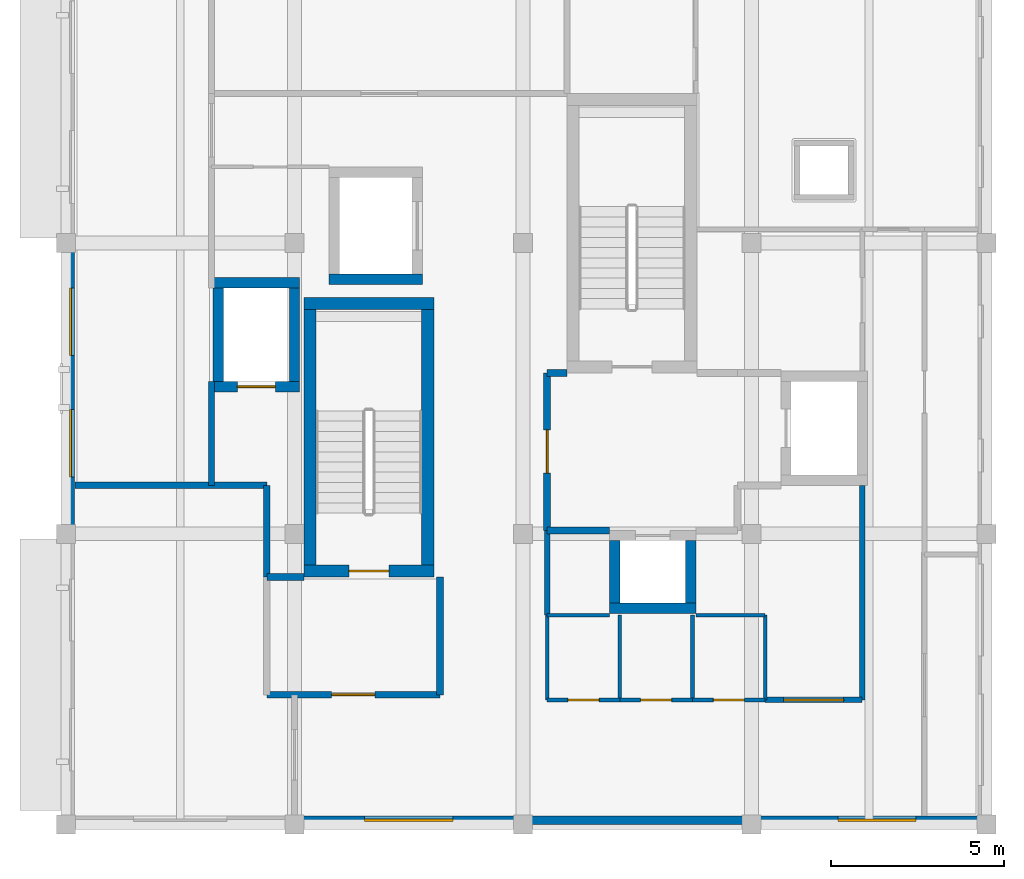
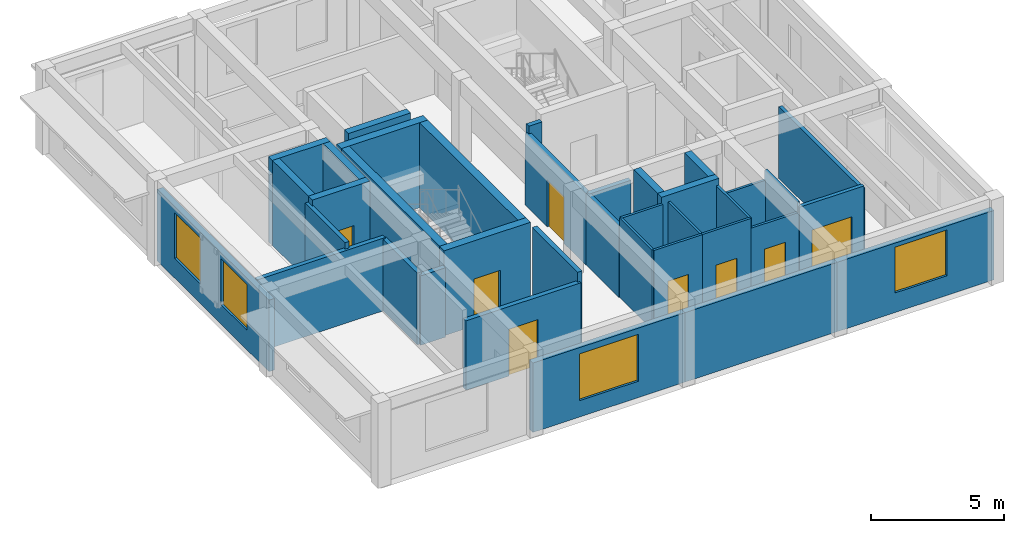
# One storey, part 2 of 6: 37 walls, 8 doors, 4 windows, 12 openings.
"""IFC4 building model written with IfcOpenShell, lengths in metres."""

from ifc_helpers import new_model, si_unit, direction, frame, frame_2d, origin, place, context, subcontext, project, spatial, rectangle, extrude, material, layer, layer_set, type_object, element, fill, save


model = new_model("IFC4")

# Units and contexts
model_context = context("Model", 3, precision=1e-05, world=origin(), true_north=direction((0.0, 1.0)))
body_context = subcontext(model_context, "Body", "Model", "MODEL_VIEW")
ifc_project = project(units=[si_unit("LENGTHUNIT", "METRE"), si_unit("AREAUNIT", "SQUARE_METRE"), si_unit("VOLUMEUNIT", "CUBIC_METRE"), si_unit("PLANEANGLEUNIT", "RADIAN"), si_unit("MASSUNIT", "GRAM", prefix="KILO")], contexts=[model_context])

# Site, building, storey
site_placement = place(None, origin())
site = spatial("IfcSite", under=ifc_project, at=site_placement, CompositionType="ELEMENT")
building_placement = place(site_placement, origin())
building = spatial("IfcBuilding", under=site, at=building_placement, Name="Kolvaren Faculty of Natural Sciences", CompositionType="ELEMENT")
storey_placement = place(building_placement, frame((0.0, 0.0, 36.60009765625)))
storey = spatial("IfcBuildingStorey", under=building, at=storey_placement, Name="L08", CompositionType="ELEMENT", Elevation=36.60009765625)

# Wall
ifc_material_1 = material(Name="Acoustic mineral-wool insulated gypsum partition")
ifc_layer_1 = layer(ifc_material_1, 0.159912109375)
ifc_layer_set_1 = layer_set([ifc_layer_1], Name="Acoustic mineral-wool insulated gypsum partition")
wall_type_1 = type_object("IfcWallType", Name="ClassroomPartitionWall_160", PredefinedType="PARTITIONING", material=ifc_layer_set_1)
wall_1_placement = place(storey_placement, frame((168.39990234375, 68.798095703125, 0.0), z_axis=(0.0, 0.0, 1.0), x_axis=(0.0, -1.0, 0.0)))
element("IfcWall", 1, at=wall_1_placement, inside=storey, type_object=wall_type_1, Name="L08 interior partition PW-160", PredefinedType="PARTITIONING", context=body_context, shape_type="SweptSolid", body=[
    extrude(rectangle(XDim=6.197998046875, YDim=0.159912109375, at=frame_2d((3.09912109375, 0.0))), origin(), (0.0, 0.0, 1.0), 3.284912109375),
])

# Wall, opening, door
wall_2_placement = place(storey_placement, frame((168.39990234375, 62.60009765625, 0.0), z_axis=(0.0, 0.0, 1.0), x_axis=(-1.0, 0.0, 0.0)))
wall_2 = element("IfcWall", 2, at=wall_2_placement, inside=storey, type_object=wall_type_1, Name="L08 interior partition PW-160", PredefinedType="PARTITIONING", context=body_context, shape_type="SweptSolid", body=[
    extrude(rectangle(XDim=2.7998046875, YDim=0.159912109375, at=frame_2d((1.39990234375, 0.0))), origin(), (0.0, 0.0, 1.0), 3.434814453125),
])
opening_1_placement = place(wall_2_placement, frame((0.530029296875, 0.0, 0.0)))
opening_1 = element("IfcOpeningElement", 3, at=opening_1_placement, cuts=wall_2, Name="Opening ID-35", PredefinedType="OPENING", context=body_context, shape_type="SweptSolid", body=[
    extrude(rectangle(XDim=1.739990234375, YDim=2.199951171875, at=frame_2d((0.8701171875, 1.10009765625))), frame((0.0, 0.08984375, 0.0), z_axis=(0.0, -1.0, 0.0), x_axis=(1.0, 0.0, 0.0)), (0.0, 0.0, 1.0), 0.179931640625),
])
ifc_material_2 = material(Name="Thermally broken anodised aluminium glazed door", Category="aluminium")
door_type_1 = type_object("IfcDoorType", Name="InteriorRoomDoor_1740x2200", OperationType="DOUBLE_DOOR_SINGLE_SWING", PredefinedType="DOOR", material=ifc_material_2)
door_1_placement = place(opening_1_placement, origin())
door_1 = element("IfcDoor", 4, at=door_1_placement, inside=storey, type_object=door_type_1, Name="D-L08-0373", OperationType="DOUBLE_DOOR_SINGLE_SWING", OverallHeight=2.199951171875, OverallWidth=1.739990234375, PredefinedType="DOOR", context=body_context, shape_type="SweptSolid", body=[
    extrude(rectangle(XDim=1.739990234375, YDim=2.199951171875, at=frame_2d((0.8701171875, 1.10009765625))), frame((0.0, 0.02490234375, 0.0), z_axis=(0.0, -1.0, 0.0), x_axis=(1.0, 0.0, 0.0)), (0.0, 0.0, 1.0), 0.050048828125),
])
fill(opening_1, door_1)

# Wall
wall_3_placement = place(storey_placement, frame((159.300048828125, 65.050048828125, 0.0), z_axis=(0.0, 0.0, 1.0), x_axis=(0.0, 1.0, 0.0)))
element("IfcWall", 5, at=wall_3_placement, inside=storey, type_object=wall_type_1, Name="L08 interior partition PW-160", PredefinedType="PARTITIONING", context=body_context, shape_type="SweptSolid", body=[
    extrude(rectangle(XDim=2.449951171875, YDim=0.159912109375, at=frame_2d((1.22509765625, 0.0))), origin(), (0.0, 0.0, 1.0), 3.284912109375),
])

# Wall, opening, door
ifc_material_3 = material(Name="Concrete C40/50", Category="concrete")
ifc_layer_2 = layer(ifc_material_3, 0.35009765625)
ifc_layer_set_2 = layer_set([ifc_layer_2], Name="Concrete C40/50")
wall_type_2 = type_object("IfcWallType", Name="CoreShearWall_350", PredefinedType="SHEAR", material=ifc_layer_set_2)
wall_4_placement = place(storey_placement, frame((152.27490234375, 66.324951171875, 0.0), z_axis=(0.0, 0.0, 1.0), x_axis=(1.0, 0.0, 0.0)))
wall_4 = element("IfcWall", 6, at=wall_4_placement, inside=storey, type_object=wall_type_2, Name="L08 CORE-C2 stair shear wall S", PredefinedType="SHEAR", context=body_context, shape_type="SweptSolid", body=[
    extrude(rectangle(XDim=3.75, YDim=0.35009765625, at=frame_2d((1.875, 0.0))), origin(), (0.0, 0.0, 1.0), 3.89990234375),
])
opening_2_placement = place(wall_4_placement, frame((1.300048828125, 0.0, 0.0)))
opening_2 = element("IfcOpeningElement", 7, at=opening_2_placement, cuts=wall_4, Name="Opening FD90", PredefinedType="OPENING", context=body_context, shape_type="SweptSolid", body=[
    extrude(rectangle(XDim=1.14990234375, YDim=2.14990234375, at=frame_2d((0.574951171875, 1.074951171875))), frame((0.0, 0.18505859375, 0.0), z_axis=(0.0, -1.0, 0.0), x_axis=(1.0, 0.0, 0.0)), (0.0, 0.0, 1.0), 0.3701171875),
])
ifc_material_4 = material(Name="Fire-rated solid-core hardwood door leaf in steel frame", Category="steel")
door_type_2 = type_object("IfcDoorType", Name="StairCoreFireDoor_1150x2150", OperationType="NOTDEFINED", PredefinedType="DOOR", material=ifc_material_4)
door_2_placement = place(opening_2_placement, origin())
door_2 = element("IfcDoor", 8, at=door_2_placement, inside=storey, type_object=door_type_2, Name="D-ST-ST-2-L08", OperationType="SINGLE_SWING_RIGHT", OverallHeight=2.14990234375, OverallWidth=1.14990234375, PredefinedType="DOOR", context=body_context, shape_type="SweptSolid", body=[
    extrude(rectangle(XDim=1.14990234375, YDim=2.14990234375, at=frame_2d((0.574951171875, 1.074951171875))), frame((0.0, 0.02490234375, 0.0), z_axis=(0.0, -1.0, 0.0), x_axis=(1.0, 0.0, 0.0)), (0.0, 0.0, 1.0), 0.050048828125),
])
fill(opening_2, door_2)

# Walls
wall_5_placement = place(storey_placement, frame((152.27490234375, 74.050048828125, 0.0), z_axis=(0.0, 0.0, 1.0), x_axis=(1.0, 0.0, 0.0)))
element("IfcWall", 9, at=wall_5_placement, inside=storey, type_object=wall_type_2, Name="L08 CORE-C2 stair shear wall N", PredefinedType="SHEAR", context=body_context, shape_type="SweptSolid", body=[
    extrude(rectangle(XDim=3.75, YDim=0.35009765625, at=frame_2d((1.875, 0.0))), origin(), (0.0, 0.0, 1.0), 3.89990234375),
])
for number, where, z_axis, x_axis, name in (
    (10, (152.449951171875, 66.5, 0.0), (0.0, 0.0, 1.0), (0.0, 1.0, 0.0), "L08 CORE-C2 stair shear wall W"),
    (11, (155.85009765625, 66.5, 0.0), (0.0, 0.0, 1.0), (0.0, 1.0, 0.0), "L08 CORE-C2 stair shear wall E"),
):
    element("IfcWall", number, at=place(storey_placement, frame(where, z_axis=z_axis, x_axis=x_axis)), inside=storey, type_object=wall_type_2, Name=name, PredefinedType="SHEAR", context=body_context, shape_type="SweptSolid", body=[
        extrude(rectangle(XDim=7.375, YDim=0.35009765625, at=frame_2d((3.6875, 0.0))), origin(), (0.0, 0.0, 1.0), 3.89990234375),
    ])

# Wall, openings, windows
ifc_material_5 = material(Name="Precast concrete C35/45", Category="concrete")
ifc_layer_3 = layer(ifc_material_5, 0.25)
ifc_layer_set_3 = layer_set([ifc_layer_3], Name="Precast concrete C35/45")
wall_type_3 = type_object("IfcWallType", Name="ExteriorTowerWall_250", PredefinedType="STANDARD", material=ifc_layer_set_3)
wall_6_placement = place(storey_placement, frame((145.52490234375, 67.39990234375, 0.0), z_axis=(0.0, 0.0, 1.0), x_axis=(0.0, 1.0, 0.0)))
wall_6 = element("IfcWall", 12, at=wall_6_placement, inside=storey, type_object=wall_type_3, Name="L08 exterior masonry wall EW-250 (734)", PredefinedType="STANDARD", context=body_context, shape_type="SweptSolid", body=[
    extrude(rectangle(XDim=8.400146484375, YDim=0.25, at=frame_2d((4.2001953125, 0.0))), origin(), (0.0, 0.0, 1.0), 3.284912109375),
])
opening_3_placement = place(wall_6_placement, frame((1.639892578125, 0.0, 0.89990234375)))
opening_3 = element("IfcOpeningElement", 13, at=opening_3_placement, cuts=wall_6, Name="Opening WIN-06", PredefinedType="OPENING", context=body_context, shape_type="SweptSolid", body=[
    extrude(rectangle(XDim=1.949951171875, YDim=2.10009765625, at=frame_2d((0.97509765625, 1.050048828125))), frame((0.0, 0.135009765625, 0.0), z_axis=(0.0, -1.0, 0.0), x_axis=(1.0, 0.0, 0.0)), (0.0, 0.0, 1.0), 0.27001953125),
])
opening_4_placement = place(wall_6_placement, frame((5.156982421875, 0.0, 0.89990234375)))
opening_4 = element("IfcOpeningElement", 14, at=opening_4_placement, cuts=wall_6, Name="Opening WIN-06", PredefinedType="OPENING", context=body_context, shape_type="SweptSolid", body=[
    extrude(rectangle(XDim=1.949951171875, YDim=2.10009765625, at=frame_2d((0.97509765625, 1.050048828125))), frame((0.0, 0.135009765625, 0.0), z_axis=(0.0, -1.0, 0.0), x_axis=(1.0, 0.0, 0.0)), (0.0, 0.0, 1.0), 0.27001953125),
])
ifc_material_6 = material(Name="Double low-E solar control insulated glazing", Category="glass")
window_type_1 = type_object("IfcWindowType", Name="AluWindow_WIN06_1950x2100", PartitioningType="SINGLE_PANEL", PredefinedType="WINDOW", material=ifc_material_6)
window_1_placement = place(opening_3_placement, origin())
window_1 = element("IfcWindow", 15, at=window_1_placement, inside=storey, type_object=window_type_1, Name="WIN-L08-0598", OverallHeight=2.10009765625, OverallWidth=1.949951171875, PartitioningType="SINGLE_PANEL", PredefinedType="WINDOW", context=body_context, shape_type="SweptSolid", body=[
    extrude(rectangle(XDim=1.949951171875, YDim=2.10009765625, at=frame_2d((0.97509765625, 1.050048828125))), frame((0.0, 0.030029296875, 0.0), z_axis=(0.0, -1.0, 0.0), x_axis=(1.0, 0.0, 0.0)), (0.0, 0.0, 1.0), 0.06005859375),
])
fill(opening_3, window_1)
window_2_placement = place(opening_4_placement, origin())
window_2 = element("IfcWindow", 16, at=window_2_placement, inside=storey, type_object=window_type_1, Name="WIN-L08-0599", OverallHeight=2.10009765625, OverallWidth=1.949951171875, PartitioningType="SINGLE_PANEL", PredefinedType="WINDOW", context=body_context, shape_type="SweptSolid", body=[
    extrude(rectangle(XDim=1.949951171875, YDim=2.10009765625, at=frame_2d((0.97509765625, 1.050048828125))), frame((0.0, 0.030029296875, 0.0), z_axis=(0.0, -1.0, 0.0), x_axis=(1.0, 0.0, 0.0)), (0.0, 0.0, 1.0), 0.06005859375),
])
fill(opening_4, window_2)

# Wall, opening, window
wall_7_placement = place(storey_placement, frame((172.0, 59.125, 0.0), z_axis=(0.0, 0.0, 1.0), x_axis=(-1.0, 0.0, 0.0)))
wall_7 = element("IfcWall", 17, at=wall_7_placement, inside=storey, type_object=wall_type_3, Name="L08 exterior masonry wall EW-250 (736)", PredefinedType="STANDARD", context=body_context, shape_type="SweptSolid", body=[
    extrude(rectangle(XDim=6.800048828125, YDim=0.25, at=frame_2d((3.39990234375, 0.0))), origin(), (0.0, 0.0, 1.0), 3.184814453125),
])
opening_5_placement = place(wall_7_placement, frame((2.0400390625, 0.0, 0.89990234375)))
opening_5 = element("IfcOpeningElement", 18, at=opening_5_placement, cuts=wall_7, Name="Opening WIN-08", PredefinedType="OPENING", context=body_context, shape_type="SweptSolid", body=[
    extrude(rectangle(XDim=2.25, YDim=2.10009765625, at=frame_2d((1.125, 1.050048828125))), frame((0.0, 0.135009765625, 0.0), z_axis=(0.0, -1.0, 0.0), x_axis=(1.0, 0.0, 0.0)), (0.0, 0.0, 1.0), 0.27001953125),
])
window_type_2 = type_object("IfcWindowType", Name="AluWindow_WIN08_2250x2100", PartitioningType="SINGLE_PANEL", PredefinedType="WINDOW", material=ifc_material_6)
window_3_placement = place(opening_5_placement, origin())
window_3 = element("IfcWindow", 19, at=window_3_placement, inside=storey, type_object=window_type_2, Name="WIN-L08-0602", OverallHeight=2.10009765625, OverallWidth=2.25, PartitioningType="SINGLE_PANEL", PredefinedType="WINDOW", context=body_context, shape_type="SweptSolid", body=[
    extrude(rectangle(XDim=2.25, YDim=2.10009765625, at=frame_2d((1.125, 1.050048828125))), frame((0.0, 0.030029296875, 0.0), z_axis=(0.0, -1.0, 0.0), x_axis=(1.0, 0.0, 0.0)), (0.0, 0.0, 1.0), 0.06005859375),
])
fill(opening_5, window_3)

# Wall
wall_8_placement = place(storey_placement, frame((165.199951171875, 59.125, 0.0), z_axis=(0.0, 0.0, 1.0), x_axis=(-1.0, 0.0, 0.0)))
element("IfcWall", 20, at=wall_8_placement, inside=storey, type_object=wall_type_3, Name="L08 exterior masonry wall EW-250 (737)", PredefinedType="STANDARD", context=body_context, shape_type="SweptSolid", body=[
    extrude(rectangle(XDim=6.599853515625, YDim=0.25, at=frame_2d((3.2998046875, 0.0))), origin(), (0.0, 0.0, 1.0), 3.184814453125),
])

# Wall, opening, window
wall_9_placement = place(storey_placement, frame((158.60009765625, 59.125, 0.0), z_axis=(0.0, 0.0, 1.0), x_axis=(-1.0, 0.0, 0.0)))
wall_9 = element("IfcWall", 21, at=wall_9_placement, inside=storey, type_object=wall_type_3, Name="L08 exterior masonry wall EW-250 (738)", PredefinedType="STANDARD", context=body_context, shape_type="SweptSolid", body=[
    extrude(rectangle(XDim=6.60009765625, YDim=0.25, at=frame_2d((3.300048828125, 0.0))), origin(), (0.0, 0.0, 1.0), 3.184814453125),
])
opening_6_placement = place(wall_9_placement, frame((2.02490234375, 0.0, 0.75)))
opening_6 = element("IfcOpeningElement", 22, at=opening_6_placement, cuts=wall_9, Name="Opening WIN-10", PredefinedType="OPENING", context=body_context, shape_type="SweptSolid", body=[
    extrude(rectangle(XDim=2.550048828125, YDim=2.14990234375, at=frame_2d((1.27490234375, 1.074951171875))), frame((0.0, 0.135009765625, 0.0), z_axis=(0.0, -1.0, 0.0), x_axis=(1.0, 0.0, 0.0)), (0.0, 0.0, 1.0), 0.27001953125),
])
window_type_3 = type_object("IfcWindowType", Name="AluWindow_WIN10_2550x2150", PartitioningType="SINGLE_PANEL", PredefinedType="WINDOW", material=ifc_material_6)
window_4_placement = place(opening_6_placement, origin())
window_4 = element("IfcWindow", 23, at=window_4_placement, inside=storey, type_object=window_type_3, Name="WIN-L08-0603", OverallHeight=2.14990234375, OverallWidth=2.550048828125, PartitioningType="SINGLE_PANEL", PredefinedType="WINDOW", context=body_context, shape_type="SweptSolid", body=[
    extrude(rectangle(XDim=2.550048828125, YDim=2.14990234375, at=frame_2d((1.27490234375, 1.074951171875))), frame((0.0, 0.030029296875, 0.0), z_axis=(0.0, -1.0, 0.0), x_axis=(1.0, 0.0, 0.0)), (0.0, 0.0, 1.0), 0.06005859375),
])
fill(opening_6, window_4)

# Walls
ifc_material_7 = material(Name="Autoclaved aerated fire-rated masonry blockwork", Category="masonry")
ifc_layer_4 = layer(ifc_material_7, 0.199951171875)
ifc_layer_set_4 = layer_set([ifc_layer_4], Name="Autoclaved aerated fire-rated masonry blockwork")
wall_type_4 = type_object("IfcWallType", Name="FireLobbyWall_200", PredefinedType="PARTITIONING", material=ifc_layer_set_4)
wall_10_placement = place(storey_placement, frame((159.300048828125, 72.050048828125, 0.0), z_axis=(0.0, 0.0, 1.0), x_axis=(1.0, 0.0, 0.0)))
element("IfcWall", 24, at=wall_10_placement, inside=storey, type_object=wall_type_4, Name="L08 interior partition FW-200", PredefinedType="PARTITIONING", context=body_context, shape_type="SweptSolid", body=[
    extrude(rectangle(XDim=0.574951171875, YDim=0.199951171875, at=frame_2d((0.28759765625, 0.0))), origin(), (0.0, 0.0, 1.0), 3.635009765625),
])
wall_11_placement = place(storey_placement, frame((161.10009765625, 67.5, 0.0), z_axis=(0.0, 0.0, 1.0), x_axis=(-1.0, 0.0, 0.0)))
element("IfcWall", 25, at=wall_11_placement, inside=storey, type_object=wall_type_4, Name="L08 interior partition FW-200", PredefinedType="PARTITIONING", context=body_context, shape_type="SweptSolid", body=[
    extrude(rectangle(XDim=1.800048828125, YDim=0.199951171875, at=frame_2d((0.89990234375, 0.0))), origin(), (0.0, 0.0, 1.0), 3.284912109375),
])

# Wall, opening, door
wall_12_placement = place(storey_placement, frame((159.300048828125, 67.5, 0.0), z_axis=(0.0, 0.0, 1.0), x_axis=(0.0, 1.0, 0.0)))
wall_12 = element("IfcWall", 26, at=wall_12_placement, inside=storey, type_object=wall_type_4, Name="L08 interior partition FW-200", PredefinedType="PARTITIONING", context=body_context, shape_type="SweptSolid", body=[
    extrude(rectangle(XDim=4.550048828125, YDim=0.199951171875, at=frame_2d((2.27490234375, 0.0))), origin(), (0.0, 0.0, 1.0), 3.284912109375),
])
opening_7_placement = place(wall_12_placement, frame((1.64990234375, 0.0, 0.0)))
opening_7 = element("IfcOpeningElement", 27, at=opening_7_placement, cuts=wall_12, Name="Opening FD60", PredefinedType="OPENING", context=body_context, shape_type="SweptSolid", body=[
    extrude(rectangle(XDim=1.25, YDim=2.14990234375, at=frame_2d((0.625, 1.074951171875))), frame((0.0, 0.10986328125, 0.0), z_axis=(0.0, -1.0, 0.0), x_axis=(1.0, 0.0, 0.0)), (0.0, 0.0, 1.0), 0.219970703125),
])
door_type_3 = type_object("IfcDoorType", Name="RescueLobbyFireDoor_1250x2150", OperationType="NOTDEFINED", PredefinedType="DOOR", material=ifc_material_4)
door_3_placement = place(opening_7_placement, origin())
door_3 = element("IfcDoor", 28, at=door_3_placement, inside=storey, type_object=door_type_3, Name="D-L08-0365", OperationType="SINGLE_SWING_LEFT", OverallHeight=2.14990234375, OverallWidth=1.25, PredefinedType="DOOR", context=body_context, shape_type="SweptSolid", body=[
    extrude(rectangle(XDim=1.25, YDim=2.14990234375, at=frame_2d((0.625, 1.074951171875))), frame((0.0, 0.02490234375, 0.0), z_axis=(0.0, -1.0, 0.0), x_axis=(1.0, 0.0, 0.0)), (0.0, 0.0, 1.0), 0.050048828125),
])
fill(opening_7, door_3)

# Walls
wall_13_placement = place(storey_placement, frame((151.199951171875, 66.14990234375, 0.0), z_axis=(0.0, 0.0, 1.0), x_axis=(1.0, 0.0, 0.0)))
element("IfcWall", 29, at=wall_13_placement, inside=storey, type_object=wall_type_4, Name="L08 interior partition FW-200", PredefinedType="PARTITIONING", context=body_context, shape_type="SweptSolid", body=[
    extrude(rectangle(XDim=1.074951171875, YDim=0.199951171875, at=frame_2d((0.53759765625, 0.0))), origin(), (0.0, 0.0, 1.0), 3.184814453125),
])
wall_14_placement = place(storey_placement, frame((156.199951171875, 66.14990234375, 0.0), z_axis=(0.0, 0.0, 1.0), x_axis=(0.0, -1.0, 0.0)))
element("IfcWall", 30, at=wall_14_placement, inside=storey, type_object=wall_type_4, Name="L08 interior partition FW-200", PredefinedType="PARTITIONING", context=body_context, shape_type="SweptSolid", body=[
    extrude(rectangle(XDim=3.39990234375, YDim=0.199951171875, at=frame_2d((1.699951171875, 0.0))), origin(), (0.0, 0.0, 1.0), 3.635009765625),
])

# Wall, opening, door
wall_15_placement = place(storey_placement, frame((156.199951171875, 62.75, 0.0), z_axis=(0.0, 0.0, 1.0), x_axis=(-1.0, 0.0, 0.0)))
wall_15 = element("IfcWall", 31, at=wall_15_placement, inside=storey, type_object=wall_type_4, Name="L08 interior partition FW-200", PredefinedType="PARTITIONING", context=body_context, shape_type="SweptSolid", body=[
    extrude(rectangle(XDim=5.0, YDim=0.199951171875, at=frame_2d((2.5, 0.0))), origin(), (0.0, 0.0, 1.0), 3.184814453125),
])
opening_8_placement = place(wall_15_placement, frame((1.875, 0.0, 0.0)))
opening_8 = element("IfcOpeningElement", 32, at=opening_8_placement, cuts=wall_15, Name="Opening FD60", PredefinedType="OPENING", context=body_context, shape_type="SweptSolid", body=[
    extrude(rectangle(XDim=1.25, YDim=2.14990234375, at=frame_2d((0.625, 1.074951171875))), frame((0.0, 0.10986328125, 0.0), z_axis=(0.0, -1.0, 0.0), x_axis=(1.0, 0.0, 0.0)), (0.0, 0.0, 1.0), 0.219970703125),
])
door_4_placement = place(opening_8_placement, origin())
door_4 = element("IfcDoor", 33, at=door_4_placement, inside=storey, type_object=door_type_3, Name="D-L08-0366", OperationType="SINGLE_SWING_RIGHT", OverallHeight=2.14990234375, OverallWidth=1.25, PredefinedType="DOOR", context=body_context, shape_type="SweptSolid", body=[
    extrude(rectangle(XDim=1.25, YDim=2.14990234375, at=frame_2d((0.625, 1.074951171875))), frame((0.0, 0.02490234375, 0.0), z_axis=(0.0, -1.0, 0.0), x_axis=(1.0, 0.0, 0.0)), (0.0, 0.0, 1.0), 0.050048828125),
])
fill(opening_8, door_4)

# Walls
ifc_layer_5 = layer(ifc_material_1, 0.179931640625)
ifc_layer_set_5 = layer_set([ifc_layer_5], Name="Acoustic mineral-wool insulated gypsum partition")
wall_type_5 = type_object("IfcWallType", Name="LabPartitionWall_180", PredefinedType="PARTITIONING", material=ifc_layer_set_5)
wall_16_placement = place(storey_placement, frame((149.60009765625, 71.800048828125, 0.0), z_axis=(0.0, 0.0, 1.0), x_axis=(0.0, -1.0, 0.0)))
element("IfcWall", 34, at=wall_16_placement, inside=storey, type_object=wall_type_5, Name="L08 interior partition PW-180", PredefinedType="PARTITIONING", context=body_context, shape_type="SweptSolid", body=[
    extrude(rectangle(XDim=3.0, YDim=0.179931640625, at=frame_2d((1.5, 0.0))), origin(), (0.0, 0.0, 1.0), 3.635009765625),
])
ifc_layer_6 = layer(ifc_material_1, 0.18505859375)
ifc_layer_set_6 = layer_set([ifc_layer_6], Name="Acoustic mineral-wool insulated gypsum partition")
wall_type_6 = type_object("IfcWallType", Name="LabPartitionWall_185", PredefinedType="PARTITIONING", material=ifc_layer_set_6)
wall_17_placement = place(storey_placement, frame((145.652099609375, 68.800048828125, 0.0), z_axis=(0.0, 0.0, 1.0), x_axis=(1.0, 0.0, 0.0)))
element("IfcWall", 35, at=wall_17_placement, inside=storey, type_object=wall_type_6, Name="L08 interior partition PW-185", PredefinedType="PARTITIONING", context=body_context, shape_type="SweptSolid", body=[
    extrude(rectangle(XDim=5.5478515625, YDim=0.18505859375, at=frame_2d((2.77392578125, 0.0))), origin(), (0.0, 0.0, 1.0), 3.3349609375),
])
wall_18_placement = place(storey_placement, frame((151.199951171875, 68.800048828125, 0.0), z_axis=(0.0, 0.0, 1.0), x_axis=(0.0, -1.0, 0.0)))
element("IfcWall", 36, at=wall_18_placement, inside=storey, type_object=wall_type_6, Name="L08 interior partition PW-185", PredefinedType="PARTITIONING", context=body_context, shape_type="SweptSolid", body=[
    extrude(rectangle(XDim=2.650146484375, YDim=0.18505859375, at=frame_2d((1.3251953125, 0.0))), origin(), (0.0, 0.0, 1.0), 3.284912109375),
])
ifc_layer_7 = layer(ifc_material_3, 0.300048828125)
ifc_layer_set_7 = layer_set([ifc_layer_7], Name="Concrete C40/50")
wall_type_7 = type_object("IfcWallType", Name="ShaftShearWall_300", PredefinedType="SHEAR", material=ifc_layer_set_7)
wall_19_placement = place(storey_placement, frame((161.10009765625, 65.25, 0.0), z_axis=(0.0, 0.0, 1.0), x_axis=(1.0, 0.0, 0.0)))
element("IfcWall", 37, at=wall_19_placement, inside=storey, type_object=wall_type_7, Name="L08 lift PL-1 shaft wall S", PredefinedType="SHEAR", context=body_context, shape_type="SweptSolid", body=[
    extrude(rectangle(XDim=2.5, YDim=0.300048828125, at=frame_2d((1.25, 0.0))), origin(), (0.0, 0.0, 1.0), 3.89990234375),
])
for number, where, z_axis, x_axis, name in (
    (38, (161.25, 65.39990234375, 0.0), (0.0, 0.0, 1.0), (0.0, 1.0, 0.0), "L08 lift PL-1 shaft wall W"),
    (39, (163.449951171875, 65.39990234375, 0.0), (0.0, 0.0, 1.0), (0.0, 1.0, 0.0), "L08 lift PL-1 shaft wall E"),
):
    element("IfcWall", number, at=place(storey_placement, frame(where, z_axis=z_axis, x_axis=x_axis)), inside=storey, type_object=wall_type_7, Name=name, PredefinedType="SHEAR", context=body_context, shape_type="SweptSolid", body=[
        extrude(rectangle(XDim=1.800048828125, YDim=0.300048828125, at=frame_2d((0.89990234375, 0.0))), origin(), (0.0, 0.0, 1.0), 3.89990234375),
    ])

# Wall, opening, door
wall_20_placement = place(storey_placement, frame((149.64990234375, 71.64990234375, 0.0), z_axis=(0.0, 0.0, 1.0), x_axis=(1.0, 0.0, 0.0)))
wall_20 = element("IfcWall", 40, at=wall_20_placement, inside=storey, type_object=wall_type_7, Name="L08 lift FL-2 shaft wall S", PredefinedType="SHEAR", context=body_context, shape_type="SweptSolid", body=[
    extrude(rectangle(XDim=2.5, YDim=0.300048828125, at=frame_2d((1.25, 0.0))), origin(), (0.0, 0.0, 1.0), 3.89990234375),
])
opening_9_placement = place(wall_20_placement, frame((0.699951171875, 0.0, 0.0)))
opening_9 = element("IfcOpeningElement", 41, at=opening_9_placement, cuts=wall_20, Name="Opening LD-01", PredefinedType="OPENING", context=body_context, shape_type="SweptSolid", body=[
    extrude(rectangle(XDim=1.10009765625, YDim=2.10009765625, at=frame_2d((0.550048828125, 1.050048828125))), frame((0.0, 0.159912109375, 0.0), z_axis=(0.0, -1.0, 0.0), x_axis=(1.0, 0.0, 0.0)), (0.0, 0.0, 1.0), 0.320068359375),
])
ifc_material_8 = material(Name="Brushed stainless steel lift car and sliding door assembly", Category="steel")
door_type_4 = type_object("IfcDoorType", Name="LiftLandingSliding_1100x2100", OperationType="DOUBLE_DOOR_SLIDING", PredefinedType="DOOR", material=ifc_material_8)
door_5_placement = place(opening_9_placement, origin())
door_5 = element("IfcDoor", 42, at=door_5_placement, inside=storey, type_object=door_type_4, Name="D-LIFT-FL-2-L08", OperationType="DOUBLE_DOOR_SLIDING", OverallHeight=2.10009765625, OverallWidth=1.10009765625, PredefinedType="DOOR", context=body_context, shape_type="SweptSolid", body=[
    extrude(rectangle(XDim=1.10009765625, YDim=2.10009765625, at=frame_2d((0.550048828125, 1.050048828125))), frame((0.0, 0.02490234375, 0.0), z_axis=(0.0, -1.0, 0.0), x_axis=(1.0, 0.0, 0.0)), (0.0, 0.0, 1.0), 0.050048828125),
])
fill(opening_9, door_5)

# Walls
wall_21_placement = place(storey_placement, frame((149.64990234375, 74.64990234375, 0.0), z_axis=(0.0, 0.0, 1.0), x_axis=(1.0, 0.0, 0.0)))
element("IfcWall", 43, at=wall_21_placement, inside=storey, type_object=wall_type_7, Name="L08 lift FL-2 shaft wall N", PredefinedType="SHEAR", context=body_context, shape_type="SweptSolid", body=[
    extrude(rectangle(XDim=2.5, YDim=0.300048828125, at=frame_2d((1.25, 0.0))), origin(), (0.0, 0.0, 1.0), 3.89990234375),
])
for number, where, z_axis, x_axis, name in (
    (44, (149.800048828125, 71.800048828125, 0.0), (0.0, 0.0, 1.0), (0.0, 1.0, 0.0), "L08 lift FL-2 shaft wall W"),
    (45, (152.0, 71.800048828125, 0.0), (0.0, 0.0, 1.0), (0.0, 1.0, 0.0), "L08 lift FL-2 shaft wall E"),
    (46, (153.0, 74.75, 0.0), (0.0, 0.0, 1.0), (1.0, 0.0, 0.0), "L08 lift GL-2 shaft wall S"),
):
    element("IfcWall", number, at=place(storey_placement, frame(where, z_axis=z_axis, x_axis=x_axis)), inside=storey, type_object=wall_type_7, Name=name, PredefinedType="SHEAR", context=body_context, shape_type="SweptSolid", body=[
        extrude(rectangle(XDim=2.699951171875, YDim=0.300048828125, at=frame_2d((1.35009765625, 0.0))), origin(), (0.0, 0.0, 1.0), 3.89990234375),
    ])
ifc_layer_8 = layer(ifc_material_1, 0.10498046875)
ifc_layer_set_8 = layer_set([ifc_layer_8], Name="Acoustic mineral-wool insulated gypsum partition")
wall_type_8 = type_object("IfcWallType", Name="WetRoomPartition_105", PredefinedType="PARTITIONING", material=ifc_layer_set_8)
wall_22_placement = place(storey_placement, frame((159.300048828125, 65.050048828125, 0.0), z_axis=(0.0, 0.0, 1.0), x_axis=(1.0, 0.0, 0.0)))
element("IfcWall", 47, at=wall_22_placement, inside=storey, type_object=wall_type_8, Name="L08 interior partition PW-105", PredefinedType="PARTITIONING", context=body_context, shape_type="SweptSolid", body=[
    extrude(rectangle(XDim=1.800048828125, YDim=0.10498046875, at=frame_2d((0.89990234375, 0.0))), origin(), (0.0, 0.0, 1.0), 3.635009765625),
])
wall_23_placement = place(storey_placement, frame((161.39990234375, 65.050048828125, 0.0), z_axis=(0.0, 0.0, 1.0), x_axis=(0.0, -1.0, 0.0)))
element("IfcWall", 48, at=wall_23_placement, inside=storey, type_object=wall_type_8, Name="L08 interior partition PW-105", PredefinedType="PARTITIONING", context=body_context, shape_type="SweptSolid", body=[
    extrude(rectangle(XDim=2.449951171875, YDim=0.10498046875, at=frame_2d((1.22509765625, 0.0))), origin(), (0.0, 0.0, 1.0), 3.635009765625),
])

# Wall, opening, door
wall_24_placement = place(storey_placement, frame((161.39990234375, 62.60009765625, 0.0), z_axis=(0.0, 0.0, 1.0), x_axis=(-1.0, 0.0, 0.0)))
wall_24 = element("IfcWall", 49, at=wall_24_placement, inside=storey, type_object=wall_type_8, Name="L08 interior partition PW-105", PredefinedType="PARTITIONING", context=body_context, shape_type="SweptSolid", body=[
    extrude(rectangle(XDim=2.099853515625, YDim=0.10498046875, at=frame_2d((1.0498046875, 0.0))), origin(), (0.0, 0.0, 1.0), 3.635009765625),
])
opening_10_placement = place(wall_24_placement, frame((0.60009765625, 0.0, 0.0)))
opening_10 = element("IfcOpeningElement", 50, at=opening_10_placement, cuts=wall_24, Name="Opening ID-01", PredefinedType="OPENING", context=body_context, shape_type="SweptSolid", body=[
    extrude(rectangle(XDim=0.89990234375, YDim=2.02001953125, at=frame_2d((0.449951171875, 1.010009765625))), frame((0.0, 0.0625, 0.0), z_axis=(0.0, -1.0, 0.0), x_axis=(1.0, 0.0, 0.0)), (0.0, 0.0, 1.0), 0.125),
])
ifc_material_9 = material(Name="Solid-core hardwood veneer door leaf in steel frame", Category="steel")
door_type_5 = type_object("IfcDoorType", Name="InteriorRoomDoor_900x2020", OperationType="NOTDEFINED", PredefinedType="DOOR", material=ifc_material_9)
door_6_placement = place(opening_10_placement, origin())
door_6 = element("IfcDoor", 51, at=door_6_placement, inside=storey, type_object=door_type_5, Name="D-L08-0367", OperationType="SINGLE_SWING_LEFT", OverallHeight=2.02001953125, OverallWidth=0.89990234375, PredefinedType="DOOR", context=body_context, shape_type="SweptSolid", body=[
    extrude(rectangle(XDim=0.89990234375, YDim=2.02001953125, at=frame_2d((0.449951171875, 1.010009765625))), frame((0.0, 0.02490234375, 0.0), z_axis=(0.0, -1.0, 0.0), x_axis=(1.0, 0.0, 0.0)), (0.0, 0.0, 1.0), 0.050048828125),
])
fill(opening_10, door_6)

# Walls
for number, where, z_axis, x_axis, name in (
    (52, (159.300048828125, 62.60009765625, 0.0), (0.0, 0.0, 1.0), (0.0, 1.0, 0.0), "L08 interior partition PW-105"),
    (53, (163.5, 65.050048828125, 0.0), (0.0, 0.0, 1.0), (0.0, -1.0, 0.0), "L08 interior partition PW-105"),
):
    element("IfcWall", number, at=place(storey_placement, frame(where, z_axis=z_axis, x_axis=x_axis)), inside=storey, type_object=wall_type_8, Name=name, PredefinedType="PARTITIONING", context=body_context, shape_type="SweptSolid", body=[
        extrude(rectangle(XDim=2.449951171875, YDim=0.10498046875, at=frame_2d((1.22509765625, 0.0))), origin(), (0.0, 0.0, 1.0), 3.635009765625),
    ])

# Wall, opening, door
wall_25_placement = place(storey_placement, frame((163.5, 62.60009765625, 0.0), z_axis=(0.0, 0.0, 1.0), x_axis=(-1.0, 0.0, 0.0)))
wall_25 = element("IfcWall", 54, at=wall_25_placement, inside=storey, type_object=wall_type_8, Name="L08 interior partition PW-105", PredefinedType="PARTITIONING", context=body_context, shape_type="SweptSolid", body=[
    extrude(rectangle(XDim=2.10009765625, YDim=0.10498046875, at=frame_2d((1.050048828125, 0.0))), origin(), (0.0, 0.0, 1.0), 3.635009765625),
])
opening_11_placement = place(wall_25_placement, frame((0.60009765625, 0.0, 0.0)))
opening_11 = element("IfcOpeningElement", 55, at=opening_11_placement, cuts=wall_25, Name="Opening ID-01", PredefinedType="OPENING", context=body_context, shape_type="SweptSolid", body=[
    extrude(rectangle(XDim=0.89990234375, YDim=2.02001953125, at=frame_2d((0.449951171875, 1.010009765625))), frame((0.0, 0.0625, 0.0), z_axis=(0.0, -1.0, 0.0), x_axis=(1.0, 0.0, 0.0)), (0.0, 0.0, 1.0), 0.125),
])
door_7_placement = place(opening_11_placement, origin())
door_7 = element("IfcDoor", 56, at=door_7_placement, inside=storey, type_object=door_type_5, Name="D-L08-0368", OperationType="SINGLE_SWING_RIGHT", OverallHeight=2.02001953125, OverallWidth=0.89990234375, PredefinedType="DOOR", context=body_context, shape_type="SweptSolid", body=[
    extrude(rectangle(XDim=0.89990234375, YDim=2.02001953125, at=frame_2d((0.449951171875, 1.010009765625))), frame((0.0, 0.02490234375, 0.0), z_axis=(0.0, -1.0, 0.0), x_axis=(1.0, 0.0, 0.0)), (0.0, 0.0, 1.0), 0.050048828125),
])
fill(opening_11, door_7)

# Walls
wall_26_placement = place(storey_placement, frame((163.60009765625, 65.050048828125, 0.0), z_axis=(0.0, 0.0, 1.0), x_axis=(1.0, 0.0, 0.0)))
element("IfcWall", 57, at=wall_26_placement, inside=storey, type_object=wall_type_8, Name="L08 interior partition PW-105", PredefinedType="PARTITIONING", context=body_context, shape_type="SweptSolid", body=[
    extrude(rectangle(XDim=2.0, YDim=0.10498046875, at=frame_2d((1.0, 0.0))), origin(), (0.0, 0.0, 1.0), 3.184814453125),
])
wall_27_placement = place(storey_placement, frame((165.60009765625, 65.050048828125, 0.0), z_axis=(0.0, 0.0, 1.0), x_axis=(0.0, -1.0, 0.0)))
element("IfcWall", 58, at=wall_27_placement, inside=storey, type_object=wall_type_8, Name="L08 interior partition PW-105", PredefinedType="PARTITIONING", context=body_context, shape_type="SweptSolid", body=[
    extrude(rectangle(XDim=2.449951171875, YDim=0.10498046875, at=frame_2d((1.22509765625, 0.0))), origin(), (0.0, 0.0, 1.0), 3.635009765625),
])

# Wall, opening, door
wall_28_placement = place(storey_placement, frame((165.60009765625, 62.60009765625, 0.0), z_axis=(0.0, 0.0, 1.0), x_axis=(-1.0, 0.0, 0.0)))
wall_28 = element("IfcWall", 59, at=wall_28_placement, inside=storey, type_object=wall_type_8, Name="L08 interior partition PW-105", PredefinedType="PARTITIONING", context=body_context, shape_type="SweptSolid", body=[
    extrude(rectangle(XDim=2.10009765625, YDim=0.10498046875, at=frame_2d((1.050048828125, 0.0))), origin(), (0.0, 0.0, 1.0), 3.184814453125),
])
opening_12_placement = place(wall_28_placement, frame((0.60009765625, 0.0, 0.0)))
opening_12 = element("IfcOpeningElement", 60, at=opening_12_placement, cuts=wall_28, Name="Opening ID-01", PredefinedType="OPENING", context=body_context, shape_type="SweptSolid", body=[
    extrude(rectangle(XDim=0.89990234375, YDim=2.02001953125, at=frame_2d((0.449951171875, 1.010009765625))), frame((0.0, 0.0625, 0.0), z_axis=(0.0, -1.0, 0.0), x_axis=(1.0, 0.0, 0.0)), (0.0, 0.0, 1.0), 0.125),
])
door_8_placement = place(opening_12_placement, origin())
door_8 = element("IfcDoor", 61, at=door_8_placement, inside=storey, type_object=door_type_5, Name="D-L08-0369", OperationType="SINGLE_SWING_LEFT", OverallHeight=2.02001953125, OverallWidth=0.89990234375, PredefinedType="DOOR", context=body_context, shape_type="SweptSolid", body=[
    extrude(rectangle(XDim=0.89990234375, YDim=2.02001953125, at=frame_2d((0.449951171875, 1.010009765625))), frame((0.0, 0.02490234375, 0.0), z_axis=(0.0, -1.0, 0.0), x_axis=(1.0, 0.0, 0.0)), (0.0, 0.0, 1.0), 0.050048828125),
])
fill(opening_12, door_8)

save(model, "model.ifc")
